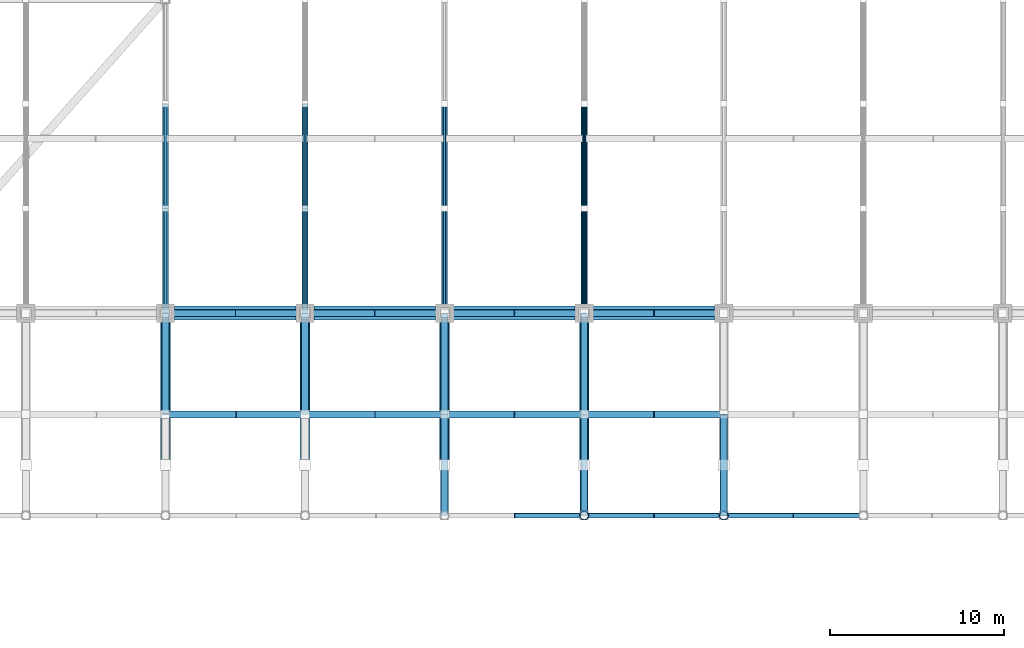
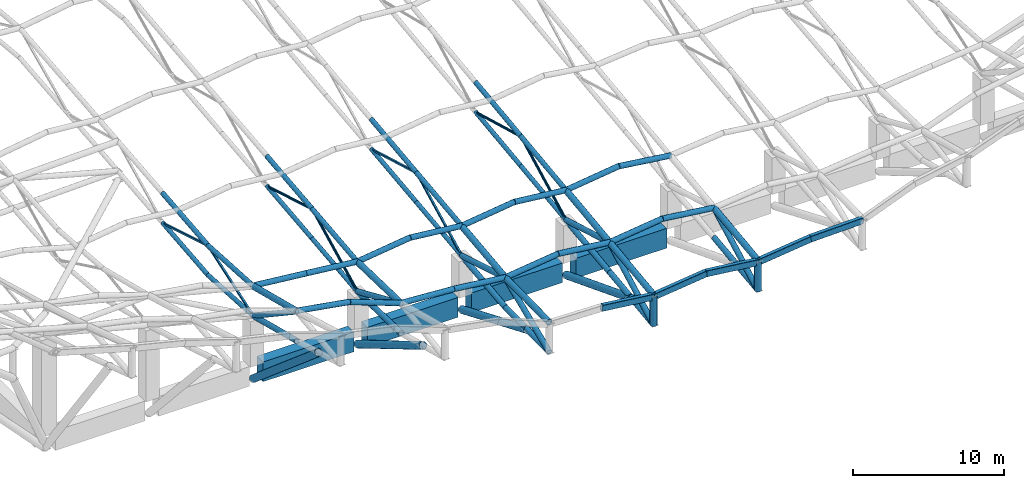
# One storey, part 5 of 75: 67 members, 9 beams.
"""IFC4 building model written with IfcOpenShell, lengths in metres."""

from ifc_helpers import new_model, si_unit, direction, frame, origin, origin_2d, place, context, subcontext, project, spatial, rectangle, hollow_rectangle, hollow_circle, extrude, material, material_profile, profile_set, type_object, element, save


model = new_model("IFC4")

# Units and contexts
model_context = context("Model", 3, precision=1e-05, world=origin(), true_north=direction((0.0, 1.0)))
body_context = subcontext(model_context, "Body", "Model", "MODEL_VIEW")
ifc_project = project(units=[si_unit("LENGTHUNIT", "METRE"), si_unit("AREAUNIT", "SQUARE_METRE"), si_unit("VOLUMEUNIT", "CUBIC_METRE"), si_unit("PLANEANGLEUNIT", "RADIAN"), si_unit("MASSUNIT", "GRAM", prefix="KILO")], contexts=[model_context])

# Site, building, storey
site_placement = place(None, origin())
site = spatial("IfcSite", under=ifc_project, at=site_placement, CompositionType="ELEMENT")
building_placement = place(site_placement, origin())
building = spatial("IfcBuilding", under=site, at=building_placement, Name="Khorjan Park Terminus", CompositionType="ELEMENT")
storey_placement = place(building_placement, frame((0.0, 0.0, 16.2)))
storey = spatial("IfcBuildingStorey", under=building, at=storey_placement, Name="L03", CompositionType="ELEMENT", Elevation=16.2)

# Members
ifc_material_1 = material(Name="Steel S355", Category="steel")
ifc_material_profile_1 = material_profile(ifc_material_1, hollow_circle(Radius=0.0969, WallThickness=0.01, at=origin_2d()), Name="CHS 193.7x10")
ifc_profile_set_1 = profile_set([ifc_material_profile_1], Name="Steel S355")
member_type_1 = type_object("IfcMemberType", Name="MB-BR-194", PredefinedType="BRACE", material=ifc_profile_set_1)
member_1_placement = place(storey_placement, frame((72.0, 26.0, 2.8526), z_axis=(0.0, 0.892185602554, 0.451668961293), x_axis=(-1.0, 0.0, 0.0)))
element("IfcMember", 1, at=member_1_placement, inside=storey, type_object=member_type_1, Name="Upper shell fold space-truss web diagonal (4)", PredefinedType="BRACE", context=body_context, shape_type="SweptSolid", body=[
    extrude(hollow_circle(Radius=0.0969, WallThickness=0.01, at=origin_2d()), origin(), (0.0, 0.0, 1.0), 6.7251),
])
member_2_placement = place(storey_placement, frame((72.0, 32.0, 5.8901), z_axis=(0.0, 0.95946093439, -0.281841649477), x_axis=(-1.0, 0.0, 0.0)))
element("IfcMember", 2, at=member_2_placement, inside=storey, type_object=member_type_1, Name="Upper shell fold space-truss web diagonal (4)", PredefinedType="BRACE", context=body_context, shape_type="SweptSolid", body=[
    extrude(hollow_circle(Radius=0.0969, WallThickness=0.01, at=origin_2d()), origin(), (0.0, 0.0, 1.0), 6.2535),
])
member_3_placement = place(storey_placement, frame((88.0, 26.0, 3.0429), z_axis=(0.0, 0.88625355796, 0.463200422068), x_axis=(-1.0, 0.0, 0.0)))
element("IfcMember", 3, at=member_3_placement, inside=storey, type_object=member_type_1, Name="Upper shell fold space-truss web diagonal (6)", PredefinedType="BRACE", context=body_context, shape_type="SweptSolid", body=[
    extrude(hollow_circle(Radius=0.0969, WallThickness=0.01, at=origin_2d()), origin(), (0.0, 0.0, 1.0), 6.7701),
])
member_4_placement = place(storey_placement, frame((88.0, 32.0, 6.1788), z_axis=(0.0, 0.963628272095, -0.267246240794), x_axis=(-1.0, 0.0, 0.0)))
element("IfcMember", 4, at=member_4_placement, inside=storey, type_object=member_type_1, Name="Upper shell fold space-truss web diagonal (6)", PredefinedType="BRACE", context=body_context, shape_type="SweptSolid", body=[
    extrude(hollow_circle(Radius=0.0969, WallThickness=0.01, at=origin_2d()), origin(), (0.0, 0.0, 1.0), 6.2265),
])
ifc_material_profile_2 = material_profile(ifc_material_1, hollow_rectangle(XDim=0.15, YDim=0.15, WallThickness=0.01, InnerFilletRadius=0.01, OuterFilletRadius=0.02, at=origin_2d()), Name="SHS 150x150x10")
ifc_profile_set_2 = profile_set([ifc_material_profile_2], Name="Steel S355")
member_type_2 = type_object("IfcMemberType", Name="MB-BR-SHS150", PredefinedType="BRACE", material=ifc_profile_set_2)
member_5_placement = place(storey_placement, frame((64.0, 26.0, 3.6958), z_axis=(0.0, 0.946295848033, 0.32330197648), x_axis=(-1.0, 0.0, 0.0)))
element("IfcMember", 5, at=member_5_placement, inside=storey, type_object=member_type_2, Name="Upper shell fold space-truss web diagonal (3)", PredefinedType="BRACE", context=body_context, shape_type="SweptSolid", body=[
    extrude(hollow_rectangle(XDim=0.15, YDim=0.15, WallThickness=0.01, InnerFilletRadius=0.01, OuterFilletRadius=0.02, at=origin_2d()), origin(), (0.0, 0.0, 1.0), 6.3405),
])
member_6_placement = place(storey_placement, frame((64.0, 32.0, 5.7457), z_axis=(0.0, 0.957315382984, -0.289045424636), x_axis=(-1.0, 0.0, 0.0)))
element("IfcMember", 6, at=member_6_placement, inside=storey, type_object=member_type_2, Name="Upper shell fold space-truss web diagonal (3)", PredefinedType="BRACE", context=body_context, shape_type="SweptSolid", body=[
    extrude(hollow_rectangle(XDim=0.15, YDim=0.15, WallThickness=0.01, InnerFilletRadius=0.01, OuterFilletRadius=0.02, at=origin_2d()), origin(), (0.0, 0.0, 1.0), 6.2675),
])
member_7_placement = place(storey_placement, frame((80.0, 26.0, 2.9477), z_axis=(0.0, 0.889228378973, 0.457463539563), x_axis=(-1.0, 0.0, 0.0)))
element("IfcMember", 7, at=member_7_placement, inside=storey, type_object=member_type_2, Name="Upper shell fold space-truss web diagonal (5)", PredefinedType="BRACE", context=body_context, shape_type="SweptSolid", body=[
    extrude(hollow_rectangle(XDim=0.15, YDim=0.15, WallThickness=0.01, InnerFilletRadius=0.01, OuterFilletRadius=0.02, at=origin_2d()), origin(), (0.0, 0.0, 1.0), 6.7474),
])
member_8_placement = place(storey_placement, frame((80.0, 32.0, 6.0344), z_axis=(0.0, 0.961569896016, -0.274560257642), x_axis=(-1.0, 0.0, 0.0)))
element("IfcMember", 8, at=member_8_placement, inside=storey, type_object=member_type_2, Name="Upper shell fold space-truss web diagonal (5)", PredefinedType="BRACE", context=body_context, shape_type="SweptSolid", body=[
    extrude(hollow_rectangle(XDim=0.15, YDim=0.15, WallThickness=0.01, InnerFilletRadius=0.01, OuterFilletRadius=0.02, at=origin_2d()), origin(), (0.0, 0.0, 1.0), 6.2398),
])
ifc_material_profile_3 = material_profile(ifc_material_1, hollow_circle(Radius=0.162, WallThickness=0.0125, at=origin_2d()), Name="CHS 323.9x12.5")
ifc_profile_set_3 = profile_set([ifc_material_profile_3], Name="Steel S355")
member_type_3 = type_object("IfcMemberType", Name="MB-CH-324", PredefinedType="CHORD", material=ifc_profile_set_3)
member_9_placement = place(storey_placement, frame((64.0, 26.0, 3.6958), z_axis=(0.0, 0.998301973504, -0.058250920154), x_axis=(-1.0, 0.0, 0.0)))
element("IfcMember", 9, at=member_9_placement, inside=storey, type_object=member_type_3, Name="Upper shell fold space-truss bottom chord (3)", PredefinedType="CHORD", context=body_context, shape_type="SweptSolid", body=[
    extrude(hollow_circle(Radius=0.162, WallThickness=0.0125, at=origin_2d()), origin(), (0.0, 0.0, 1.0), 6.0102),
])
member_10_placement = place(storey_placement, frame((64.0, 32.0, 3.3457), z_axis=(0.0, 0.995225871827, 0.097598483831), x_axis=(-1.0, 0.0, 0.0)))
element("IfcMember", 10, at=member_10_placement, inside=storey, type_object=member_type_3, Name="Upper shell fold space-truss bottom chord (3)", PredefinedType="CHORD", context=body_context, shape_type="SweptSolid", body=[
    extrude(hollow_circle(Radius=0.162, WallThickness=0.0125, at=origin_2d()), origin(), (0.0, 0.0, 1.0), 6.0288),
])
for number, where, z_axis, x_axis, name in (
    (11, (72.0, 26.0, 2.8526), (0.0, 0.994402814649, 0.105655299056), (-1.0, 0.0, 0.0), "Upper shell fold space-truss bottom chord (4)"),
    (12, (72.0, 32.0, 3.4901), (0.0, 0.994402814649, 0.105655299056), (-1.0, 0.0, 0.0), "Upper shell fold space-truss bottom chord (4)"),
):
    element("IfcMember", number, at=place(storey_placement, frame(where, z_axis=z_axis, x_axis=x_axis)), inside=storey, type_object=member_type_3, Name=name, PredefinedType="CHORD", context=body_context, shape_type="SweptSolid", body=[
        extrude(hollow_circle(Radius=0.162, WallThickness=0.0125, at=origin_2d()), origin(), (0.0, 0.0, 1.0), 6.0338),
    ])
for number, where, z_axis, x_axis, name in (
    (13, (80.0, 26.0, 2.9477), (0.0, 0.993514246355, 0.113707705495), (-1.0, 0.0, 0.0), "Upper shell fold space-truss bottom chord (5)"),
    (14, (80.0, 32.0, 3.6344), (0.0, 0.993512375599, 0.113724049927), (-1.0, 0.0, 0.0), "Upper shell fold space-truss bottom chord (5)"),
):
    element("IfcMember", number, at=place(storey_placement, frame(where, z_axis=z_axis, x_axis=x_axis)), inside=storey, type_object=member_type_3, Name=name, PredefinedType="CHORD", context=body_context, shape_type="SweptSolid", body=[
        extrude(hollow_circle(Radius=0.162, WallThickness=0.0125, at=origin_2d()), origin(), (0.0, 0.0, 1.0), 6.0392),
    ])
for number, where, z_axis, x_axis, name in (
    (15, (88.0, 26.0, 3.0429), (0.0, 0.992562298474, 0.121737765908), (-1.0, 0.0, 0.0), "Upper shell fold space-truss bottom chord (6)"),
    (16, (88.0, 32.0, 3.7788), (0.0, 0.992560299451, 0.121754063399), (-1.0, 0.0, 0.0), "Upper shell fold space-truss bottom chord (6)"),
):
    element("IfcMember", number, at=place(storey_placement, frame(where, z_axis=z_axis, x_axis=x_axis)), inside=storey, type_object=member_type_3, Name=name, PredefinedType="CHORD", context=body_context, shape_type="SweptSolid", body=[
        extrude(hollow_circle(Radius=0.162, WallThickness=0.0125, at=origin_2d()), origin(), (0.0, 0.0, 1.0), 6.045),
    ])
ifc_material_profile_4 = material_profile(ifc_material_1, hollow_circle(Radius=0.1778, WallThickness=0.016, at=origin_2d()), Name="CHS 355.6x16")
ifc_profile_set_4 = profile_set([ifc_material_profile_4], Name="Steel S355")
member_type_4 = type_object("IfcMemberType", Name="MB-CH-356", PredefinedType="CHORD", material=ifc_profile_set_4)
member_11_placement = place(storey_placement, frame((64.0, 26.0, 6.0958), z_axis=(0.0, 0.998301973504, -0.058250920154), x_axis=(-1.0, 0.0, 0.0)))
element("IfcMember", 17, at=member_11_placement, inside=storey, type_object=member_type_4, Name="Upper shell fold space-truss top chord (3)", PredefinedType="CHORD", context=body_context, shape_type="SweptSolid", body=[
    extrude(hollow_circle(Radius=0.1778, WallThickness=0.016, at=origin_2d()), origin(), (0.0, 0.0, 1.0), 6.0102),
])
member_12_placement = place(storey_placement, frame((64.0, 32.0, 5.7457), z_axis=(0.0, 0.995225871827, 0.097598483831), x_axis=(-1.0, 0.0, 0.0)))
element("IfcMember", 18, at=member_12_placement, inside=storey, type_object=member_type_4, Name="Upper shell fold space-truss top chord (3)", PredefinedType="CHORD", context=body_context, shape_type="SweptSolid", body=[
    extrude(hollow_circle(Radius=0.1778, WallThickness=0.016, at=origin_2d()), origin(), (0.0, 0.0, 1.0), 6.0288),
])
for number, where, z_axis, x_axis, name in (
    (19, (72.0, 26.0, 5.2526), (0.0, 0.994402814649, 0.105655299056), (-1.0, 0.0, 0.0), "Upper shell fold space-truss top chord (4)"),
    (20, (72.0, 32.0, 5.8901), (0.0, 0.994402814649, 0.105655299056), (-1.0, 0.0, 0.0), "Upper shell fold space-truss top chord (4)"),
):
    element("IfcMember", number, at=place(storey_placement, frame(where, z_axis=z_axis, x_axis=x_axis)), inside=storey, type_object=member_type_4, Name=name, PredefinedType="CHORD", context=body_context, shape_type="SweptSolid", body=[
        extrude(hollow_circle(Radius=0.1778, WallThickness=0.016, at=origin_2d()), origin(), (0.0, 0.0, 1.0), 6.0338),
    ])
for number, where, z_axis, x_axis, name in (
    (21, (80.0, 26.0, 5.3477), (0.0, 0.993514246355, 0.113707705495), (-1.0, 0.0, 0.0), "Upper shell fold space-truss top chord (5)"),
    (22, (80.0, 32.0, 6.0344), (0.0, 0.993512375599, 0.113724049927), (-1.0, 0.0, 0.0), "Upper shell fold space-truss top chord (5)"),
):
    element("IfcMember", number, at=place(storey_placement, frame(where, z_axis=z_axis, x_axis=x_axis)), inside=storey, type_object=member_type_4, Name=name, PredefinedType="CHORD", context=body_context, shape_type="SweptSolid", body=[
        extrude(hollow_circle(Radius=0.1778, WallThickness=0.016, at=origin_2d()), origin(), (0.0, 0.0, 1.0), 6.0392),
    ])
for number, where, z_axis, x_axis, name in (
    (23, (88.0, 26.0, 5.4429), (0.0, 0.992562298474, 0.121737765908), (-1.0, 0.0, 0.0), "Upper shell fold space-truss top chord (6)"),
    (24, (88.0, 32.0, 6.1788), (0.0, 0.992560299451, 0.121754063399), (-1.0, 0.0, 0.0), "Upper shell fold space-truss top chord (6)"),
):
    element("IfcMember", number, at=place(storey_placement, frame(where, z_axis=z_axis, x_axis=x_axis)), inside=storey, type_object=member_type_4, Name=name, PredefinedType="CHORD", context=body_context, shape_type="SweptSolid", body=[
        extrude(hollow_circle(Radius=0.1778, WallThickness=0.016, at=origin_2d()), origin(), (0.0, 0.0, 1.0), 6.045),
    ])
ifc_material_profile_5 = material_profile(ifc_material_1, hollow_circle(Radius=0.2032, WallThickness=0.016, at=origin_2d()), Name="CHS 406.4x16")
ifc_profile_set_5 = profile_set([ifc_material_profile_5], Name="Steel S355")
member_type_5 = type_object("IfcMemberType", Name="MB-CHE-406", PredefinedType="CHORD", material=ifc_profile_set_5)
member_13_placement = place(storey_placement, frame((64.0, 20.2, 7.6131), z_axis=(0.985790621278, 0.0, -0.167978721866), x_axis=(0.0, 1.0, 0.0)))
element("IfcMember", 25, at=member_13_placement, inside=storey, type_object=member_type_5, Name="Upper shell fold rib chord (47)", PredefinedType="CHORD", context=body_context, shape_type="SweptSolid", body=[
    extrude(hollow_circle(Radius=0.2032, WallThickness=0.016, at=origin_2d()), origin(), (0.0, 0.0, 1.0), 4.0577),
])
member_14_placement = place(storey_placement, frame((68.0, 20.2, 6.9315), z_axis=(0.937112467786, 0.0, -0.349027538627), x_axis=(0.0, 1.0, 0.0)))
element("IfcMember", 26, at=member_14_placement, inside=storey, type_object=member_type_5, Name="Upper shell fold rib chord (48)", PredefinedType="CHORD", context=body_context, shape_type="SweptSolid", body=[
    extrude(hollow_circle(Radius=0.2032, WallThickness=0.016, at=origin_2d()), origin(), (0.0, 0.0, 1.0), 4.2684),
])
member_15_placement = place(storey_placement, frame((72.0, 20.2, 5.4417), z_axis=(0.9978192431, 0.0, -0.066005742931), x_axis=(0.0, 1.0, 0.0)))
element("IfcMember", 27, at=member_15_placement, inside=storey, type_object=member_type_5, Name="Upper shell fold rib chord (49)", PredefinedType="CHORD", context=body_context, shape_type="SweptSolid", body=[
    extrude(hollow_circle(Radius=0.2032, WallThickness=0.016, at=origin_2d()), origin(), (0.0, 0.0, 1.0), 4.0087),
])
member_16_placement = place(storey_placement, frame((76.0, 20.2, 5.1771), z_axis=(0.993642695952, 0.0, -0.112579717451), x_axis=(0.0, 1.0, 0.0)))
element("IfcMember", 28, at=member_16_placement, inside=storey, type_object=member_type_5, Name="Upper shell fold rib chord (50)", PredefinedType="CHORD", context=body_context, shape_type="SweptSolid", body=[
    extrude(hollow_circle(Radius=0.2032, WallThickness=0.016, at=origin_2d()), origin(), (0.0, 0.0, 1.0), 4.0256),
])
member_17_placement = place(storey_placement, frame((80.0, 20.2, 4.7239), z_axis=(0.992256490306, 0.0, 0.124205706174), x_axis=(0.0, 1.0, 0.0)))
element("IfcMember", 29, at=member_17_placement, inside=storey, type_object=member_type_5, Name="Upper shell fold rib chord (51)", PredefinedType="CHORD", context=body_context, shape_type="SweptSolid", body=[
    extrude(hollow_circle(Radius=0.2032, WallThickness=0.016, at=origin_2d()), origin(), (0.0, 0.0, 1.0), 4.0312),
])
member_18_placement = place(storey_placement, frame((84.0, 20.2, 5.2246), z_axis=(0.993642695952, 0.0, -0.112579717451), x_axis=(0.0, 1.0, 0.0)))
element("IfcMember", 30, at=member_18_placement, inside=storey, type_object=member_type_5, Name="Upper shell fold rib chord (52)", PredefinedType="CHORD", context=body_context, shape_type="SweptSolid", body=[
    extrude(hollow_circle(Radius=0.2032, WallThickness=0.016, at=origin_2d()), origin(), (0.0, 0.0, 1.0), 4.0256),
])
for number, where, z_axis, x_axis, name in (
    (31, (88.0, 20.2, 4.7714), (0.992253432775, 0.0, 0.124230129783), (0.0, 1.0, 0.0), "Upper shell fold rib chord (53)"),
    (32, (92.0, 20.2, 5.2722), (0.992253432775, 0.0, -0.124230129783), (0.0, 1.0, 0.0), "Upper shell fold rib chord (54)"),
):
    element("IfcMember", number, at=place(storey_placement, frame(where, z_axis=z_axis, x_axis=x_axis)), inside=storey, type_object=member_type_5, Name=name, PredefinedType="CHORD", context=body_context, shape_type="SweptSolid", body=[
        extrude(hollow_circle(Radius=0.2032, WallThickness=0.016, at=origin_2d()), origin(), (0.0, 0.0, 1.0), 4.0312),
    ])
member_19_placement = place(storey_placement, frame((64.0, 26.0, 6.1358), z_axis=(0.994691618291, 0.0, -0.102900847912), x_axis=(0.0, 1.0, 0.0)))
element("IfcMember", 33, at=member_19_placement, inside=storey, type_object=member_type_5, Name="Upper shell fold rib chord (71)", PredefinedType="CHORD", context=body_context, shape_type="SweptSolid", body=[
    extrude(hollow_circle(Radius=0.2032, WallThickness=0.016, at=origin_2d()), origin(), (0.0, 0.0, 1.0), 4.0213),
])
member_20_placement = place(storey_placement, frame((68.0, 26.0, 5.722), z_axis=(0.994287316425, 0.0, -0.106736743418), x_axis=(0.0, 1.0, 0.0)))
element("IfcMember", 34, at=member_20_placement, inside=storey, type_object=member_type_5, Name="Upper shell fold rib chord (72)", PredefinedType="CHORD", context=body_context, shape_type="SweptSolid", body=[
    extrude(hollow_circle(Radius=0.2032, WallThickness=0.016, at=origin_2d()), origin(), (0.0, 0.0, 1.0), 4.023),
])
member_21_placement = place(storey_placement, frame((72.0, 26.0, 5.2926), z_axis=(0.9915124119, 0.0, 0.13001206501), x_axis=(0.0, 1.0, 0.0)))
element("IfcMember", 35, at=member_21_placement, inside=storey, type_object=member_type_5, Name="Upper shell fold rib chord (73)", PredefinedType="CHORD", context=body_context, shape_type="SweptSolid", body=[
    extrude(hollow_circle(Radius=0.2032, WallThickness=0.016, at=origin_2d()), origin(), (0.0, 0.0, 1.0), 4.0342),
])
member_22_placement = place(storey_placement, frame((76.0, 26.0, 5.8171), z_axis=(0.994287316425, 0.0, -0.106736743418), x_axis=(0.0, 1.0, 0.0)))
element("IfcMember", 36, at=member_22_placement, inside=storey, type_object=member_type_5, Name="Upper shell fold rib chord (74)", PredefinedType="CHORD", context=body_context, shape_type="SweptSolid", body=[
    extrude(hollow_circle(Radius=0.2032, WallThickness=0.016, at=origin_2d()), origin(), (0.0, 0.0, 1.0), 4.023),
])
member_23_placement = place(storey_placement, frame((80.0, 26.0, 5.3877), z_axis=(0.991509216249, 0.0, 0.130036433711), x_axis=(0.0, 1.0, 0.0)))
element("IfcMember", 37, at=member_23_placement, inside=storey, type_object=member_type_5, Name="Upper shell fold rib chord (75)", PredefinedType="CHORD", context=body_context, shape_type="SweptSolid", body=[
    extrude(hollow_circle(Radius=0.2032, WallThickness=0.016, at=origin_2d()), origin(), (0.0, 0.0, 1.0), 4.0343),
])
member_24_placement = place(storey_placement, frame((84.0, 26.0, 5.9123), z_axis=(0.994287316425, 0.0, -0.106736743418), x_axis=(0.0, 1.0, 0.0)))
element("IfcMember", 38, at=member_24_placement, inside=storey, type_object=member_type_5, Name="Upper shell fold rib chord (76)", PredefinedType="CHORD", context=body_context, shape_type="SweptSolid", body=[
    extrude(hollow_circle(Radius=0.2032, WallThickness=0.016, at=origin_2d()), origin(), (0.0, 0.0, 1.0), 4.023),
])
for number, where, z_axis, x_axis, name in (
    (39, (88.0, 26.0, 5.4829), (0.9915124119, 0.0, 0.13001206501), (0.0, 1.0, 0.0), "Upper shell fold rib chord (77)"),
    (40, (92.0, 26.0, 6.0074), (0.9915124119, 0.0, -0.13001206501), (0.0, 1.0, 0.0), "Upper shell fold rib chord (78)"),
):
    element("IfcMember", number, at=place(storey_placement, frame(where, z_axis=z_axis, x_axis=x_axis)), inside=storey, type_object=member_type_5, Name=name, PredefinedType="CHORD", context=body_context, shape_type="SweptSolid", body=[
        extrude(hollow_circle(Radius=0.2032, WallThickness=0.016, at=origin_2d()), origin(), (0.0, 0.0, 1.0), 4.0342),
    ])
member_25_placement = place(storey_placement, frame((64.0, 20.2, 5.1731), z_axis=(0.0, 0.969059763172, -0.246826204851), x_axis=(-1.0, 0.0, 0.0)))
element("IfcMember", 41, at=member_25_placement, inside=storey, type_object=member_type_5, Name="Upper shell fold space-truss bottom chord (3)", PredefinedType="CHORD", context=body_context, shape_type="SweptSolid", body=[
    extrude(hollow_circle(Radius=0.2032, WallThickness=0.016, at=origin_2d()), origin(), (0.0, 0.0, 1.0), 5.9852),
])
member_26_placement = place(storey_placement, frame((72.0, 20.2, 3.0017), z_axis=(0.0, 0.999669741413, -0.025698406628), x_axis=(-1.0, 0.0, 0.0)))
element("IfcMember", 42, at=member_26_placement, inside=storey, type_object=member_type_5, Name="Upper shell fold space-truss bottom chord (4)", PredefinedType="CHORD", context=body_context, shape_type="SweptSolid", body=[
    extrude(hollow_circle(Radius=0.2032, WallThickness=0.016, at=origin_2d()), origin(), (0.0, 0.0, 1.0), 5.8019),
])
member_27_placement = place(storey_placement, frame((80.0, 14.4, 2.1989), z_axis=(0.0, 0.999892630256, 0.014653598892), x_axis=(-1.0, 0.0, 0.0)))
element("IfcMember", 43, at=member_27_placement, inside=storey, type_object=member_type_5, Name="Upper shell fold space-truss bottom chord (5)", PredefinedType="CHORD", context=body_context, shape_type="SweptSolid", body=[
    extrude(hollow_circle(Radius=0.2032, WallThickness=0.016, at=origin_2d()), origin(), (0.0, 0.0, 1.0), 5.8006),
])
member_28_placement = place(storey_placement, frame((80.0, 20.2, 2.2839), z_axis=(0.0, 0.993514439867, 0.113706014687), x_axis=(-1.0, 0.0, 0.0)))
element("IfcMember", 44, at=member_28_placement, inside=storey, type_object=member_type_5, Name="Upper shell fold space-truss bottom chord (5)", PredefinedType="CHORD", context=body_context, shape_type="SweptSolid", body=[
    extrude(hollow_circle(Radius=0.2032, WallThickness=0.016, at=origin_2d()), origin(), (0.0, 0.0, 1.0), 5.8379),
])
for number, where, z_axis, x_axis, name in (
    (45, (88.0, 14.4, 1.62), (0.0, 0.992561678115, 0.121742823761), (-1.0, 0.0, 0.0), "Upper shell fold space-truss bottom chord (6)"),
    (46, (88.0, 20.2, 2.3314), (0.0, 0.992559610072, 0.121759683201), (-1.0, 0.0, 0.0), "Upper shell fold space-truss bottom chord (6)"),
    (47, (96.0, 14.4, 1.62), (0.0, 0.992561678115, 0.121742823761), (-1.0, 0.0, 0.0), "Upper shell fold space-truss bottom chord (7)"),
):
    element("IfcMember", number, at=place(storey_placement, frame(where, z_axis=z_axis, x_axis=x_axis)), inside=storey, type_object=member_type_5, Name=name, PredefinedType="CHORD", context=body_context, shape_type="SweptSolid", body=[
        extrude(hollow_circle(Radius=0.2032, WallThickness=0.016, at=origin_2d()), origin(), (0.0, 0.0, 1.0), 5.8435),
    ])
ifc_material_profile_6 = material_profile(ifc_material_1, hollow_circle(Radius=0.2285, WallThickness=0.016, at=origin_2d()), Name="CHS 457x16")
ifc_profile_set_6 = profile_set([ifc_material_profile_6], Name="Steel S355")
member_type_6 = type_object("IfcMemberType", Name="MB-CHE-457", PredefinedType="CHORD", material=ifc_profile_set_6)
member_29_placement = place(storey_placement, frame((64.0, 20.2, 7.5731), z_axis=(0.0, 0.969059763172, -0.246826204851), x_axis=(-1.0, 0.0, 0.0)))
element("IfcMember", 48, at=member_29_placement, inside=storey, type_object=member_type_6, Name="Upper shell fold space-truss top chord (3)", PredefinedType="CHORD", context=body_context, shape_type="SweptSolid", body=[
    extrude(hollow_circle(Radius=0.2285, WallThickness=0.016, at=origin_2d()), origin(), (0.0, 0.0, 1.0), 5.9852),
])
member_30_placement = place(storey_placement, frame((72.0, 20.2, 5.4017), z_axis=(0.0, 0.999669741413, -0.025698406628), x_axis=(-1.0, 0.0, 0.0)))
element("IfcMember", 49, at=member_30_placement, inside=storey, type_object=member_type_6, Name="Upper shell fold space-truss top chord (4)", PredefinedType="CHORD", context=body_context, shape_type="SweptSolid", body=[
    extrude(hollow_circle(Radius=0.2285, WallThickness=0.016, at=origin_2d()), origin(), (0.0, 0.0, 1.0), 5.8019),
])
member_31_placement = place(storey_placement, frame((80.0, 14.4, 4.5989), z_axis=(0.0, 0.999892630256, 0.014653598892), x_axis=(-1.0, 0.0, 0.0)))
element("IfcMember", 50, at=member_31_placement, inside=storey, type_object=member_type_6, Name="Upper shell fold space-truss top chord (5)", PredefinedType="CHORD", context=body_context, shape_type="SweptSolid", body=[
    extrude(hollow_circle(Radius=0.2285, WallThickness=0.016, at=origin_2d()), origin(), (0.0, 0.0, 1.0), 5.8006),
])
member_32_placement = place(storey_placement, frame((80.0, 20.2, 4.6839), z_axis=(0.0, 0.993514439867, 0.113706014687), x_axis=(-1.0, 0.0, 0.0)))
element("IfcMember", 51, at=member_32_placement, inside=storey, type_object=member_type_6, Name="Upper shell fold space-truss top chord (5)", PredefinedType="CHORD", context=body_context, shape_type="SweptSolid", body=[
    extrude(hollow_circle(Radius=0.2285, WallThickness=0.016, at=origin_2d()), origin(), (0.0, 0.0, 1.0), 5.8379),
])
for number, where, z_axis, x_axis, name in (
    (52, (88.0, 14.4, 4.02), (0.0, 0.992561678115, 0.121742823761), (-1.0, 0.0, 0.0), "Upper shell fold space-truss top chord (6)"),
    (53, (88.0, 20.2, 4.7314), (0.0, 0.992559610072, 0.121759683201), (-1.0, 0.0, 0.0), "Upper shell fold space-truss top chord (6)"),
    (54, (96.0, 14.4, 4.02), (0.0, 0.992561678115, 0.121742823761), (-1.0, 0.0, 0.0), "Upper shell fold space-truss top chord (7)"),
):
    element("IfcMember", number, at=place(storey_placement, frame(where, z_axis=z_axis, x_axis=x_axis)), inside=storey, type_object=member_type_6, Name=name, PredefinedType="CHORD", context=body_context, shape_type="SweptSolid", body=[
        extrude(hollow_circle(Radius=0.2285, WallThickness=0.016, at=origin_2d()), origin(), (0.0, 0.0, 1.0), 5.8435),
    ])
ifc_material_profile_7 = material_profile(ifc_material_1, hollow_circle(Radius=0.2795, WallThickness=0.02, at=origin_2d()), Name="CHS 559x20")
ifc_profile_set_7 = profile_set([ifc_material_profile_7], Name="Steel S355")
member_type_7 = type_object("IfcMemberType", Name="MB-ST-CHS559", PredefinedType="STRUT", material=ifc_profile_set_7)
member_33_placement = place(storey_placement, frame((64.0, 26.0, -1.4), z_axis=(0.0, -0.76164547291, 0.647993961079), x_axis=(1.0, 0.0, 0.0)))
element("IfcMember", 55, at=member_33_placement, inside=storey, type_object=member_type_7, Name="Upper shell raked overhang V-strut STE-56 (3S)", PredefinedType="STRUT", context=body_context, shape_type="SweptSolid", body=[
    extrude(hollow_circle(Radius=0.2795, WallThickness=0.02, at=origin_2d()), origin(), (0.0, 0.0, 1.0), 11.4226),
])
member_34_placement = place(storey_placement, frame((72.0, 26.0, -1.4), z_axis=(0.0, -0.860176841701, 0.509995883318), x_axis=(1.0, 0.0, 0.0)))
element("IfcMember", 56, at=member_34_placement, inside=storey, type_object=member_type_7, Name="Upper shell raked overhang V-strut STE-56 (4S)", PredefinedType="STRUT", context=body_context, shape_type="SweptSolid", body=[
    extrude(hollow_circle(Radius=0.2795, WallThickness=0.02, at=origin_2d()), origin(), (0.0, 0.0, 1.0), 10.1142),
])
member_35_placement = place(storey_placement, frame((80.0, 26.0, -1.4), z_axis=(0.0, -0.922458377603, 0.386096544391), x_axis=(1.0, 0.0, 0.0)))
element("IfcMember", 57, at=member_35_placement, inside=storey, type_object=member_type_7, Name="Upper shell raked overhang V-strut STE-56 (5S)", PredefinedType="STRUT", context=body_context, shape_type="SweptSolid", body=[
    extrude(hollow_circle(Radius=0.2795, WallThickness=0.02, at=origin_2d()), origin(), (0.0, 0.0, 1.0), 9.4313),
])
member_36_placement = place(storey_placement, frame((88.0, 26.0, -1.4), z_axis=(0.0, -0.932280715022, 0.361735633299), x_axis=(1.0, 0.0, 0.0)))
element("IfcMember", 58, at=member_36_placement, inside=storey, type_object=member_type_7, Name="Upper shell raked overhang V-strut STE-56 (6S)", PredefinedType="STRUT", context=body_context, shape_type="SweptSolid", body=[
    extrude(hollow_circle(Radius=0.2795, WallThickness=0.02, at=origin_2d()), origin(), (0.0, 0.0, 1.0), 9.332),
])
ifc_material_profile_8 = material_profile(ifc_material_1, hollow_circle(Radius=0.2032, WallThickness=0.016, at=origin_2d()), Name="CHS 406.4x16")
ifc_profile_set_8 = profile_set([ifc_material_profile_8], Name="Steel S355")
member_type_8 = type_object("IfcMemberType", Name="MB-STE-406", PredefinedType="STRUT", material=ifc_profile_set_8)
member_37_placement = place(storey_placement, frame((64.0, 20.2, 7.5731), z_axis=(0.0, 0.831346178511, -0.555754920334), x_axis=(-1.0, 0.0, 0.0)))
element("IfcMember", 59, at=member_37_placement, inside=storey, type_object=member_type_8, Name="Upper shell fold space-truss web diagonal (3)", PredefinedType="STRUT", context=body_context, shape_type="SweptSolid", body=[
    extrude(hollow_circle(Radius=0.2032, WallThickness=0.016, at=origin_2d()), origin(), (0.0, 0.0, 1.0), 6.9766),
])
member_38_placement = place(storey_placement, frame((72.0, 20.2, 5.4017), z_axis=(0.0, 0.9154836907, -0.402355082063), x_axis=(-1.0, 0.0, 0.0)))
element("IfcMember", 60, at=member_38_placement, inside=storey, type_object=member_type_8, Name="Upper shell fold space-truss web diagonal (4)", PredefinedType="STRUT", context=body_context, shape_type="SweptSolid", body=[
    extrude(hollow_circle(Radius=0.2032, WallThickness=0.016, at=origin_2d()), origin(), (0.0, 0.0, 1.0), 6.3354),
])
member_39_placement = place(storey_placement, frame((80.0, 14.4, 2.1989), z_axis=(0.0, 0.919186011339, 0.393823661755), x_axis=(-1.0, 0.0, 0.0)))
element("IfcMember", 61, at=member_39_placement, inside=storey, type_object=member_type_8, Name="Upper shell fold space-truss web diagonal (5)", PredefinedType="STRUT", context=body_context, shape_type="SweptSolid", body=[
    extrude(hollow_circle(Radius=0.2032, WallThickness=0.016, at=origin_2d()), origin(), (0.0, 0.0, 1.0), 6.3099),
])
member_40_placement = place(storey_placement, frame((80.0, 20.2, 4.6839), z_axis=(0.0, 0.957998861056, -0.286772003891), x_axis=(-1.0, 0.0, 0.0)))
element("IfcMember", 62, at=member_40_placement, inside=storey, type_object=member_type_8, Name="Upper shell fold space-truss web diagonal (5)", PredefinedType="STRUT", context=body_context, shape_type="SweptSolid", body=[
    extrude(hollow_circle(Radius=0.2032, WallThickness=0.016, at=origin_2d()), origin(), (0.0, 0.0, 1.0), 6.0543),
])
member_41_placement = place(storey_placement, frame((88.0, 14.4, 1.62), z_axis=(0.0, 0.881210593902, 0.47272390377), x_axis=(-1.0, 0.0, 0.0)))
element("IfcMember", 63, at=member_41_placement, inside=storey, type_object=member_type_8, Name="Upper shell fold space-truss web diagonal (6)", PredefinedType="STRUT", context=body_context, shape_type="SweptSolid", body=[
    extrude(hollow_circle(Radius=0.2032, WallThickness=0.016, at=origin_2d()), origin(), (0.0, 0.0, 1.0), 6.5819),
])
member_42_placement = place(storey_placement, frame((88.0, 20.2, 4.7314), z_axis=(0.0, 0.960140787374, -0.279516848186), x_axis=(-1.0, 0.0, 0.0)))
element("IfcMember", 64, at=member_42_placement, inside=storey, type_object=member_type_8, Name="Upper shell fold space-truss web diagonal (6)", PredefinedType="STRUT", context=body_context, shape_type="SweptSolid", body=[
    extrude(hollow_circle(Radius=0.2032, WallThickness=0.016, at=origin_2d()), origin(), (0.0, 0.0, 1.0), 6.0408),
])
member_43_placement = place(storey_placement, frame((96.0, 14.4, 1.62), z_axis=(0.0, 0.881210593902, 0.47272390377), x_axis=(-1.0, 0.0, 0.0)))
element("IfcMember", 65, at=member_43_placement, inside=storey, type_object=member_type_8, Name="Upper shell fold space-truss web diagonal (7)", PredefinedType="STRUT", context=body_context, shape_type="SweptSolid", body=[
    extrude(hollow_circle(Radius=0.2032, WallThickness=0.016, at=origin_2d()), origin(), (0.0, 0.0, 1.0), 6.5819),
])
ifc_material_profile_9 = material_profile(ifc_material_1, hollow_circle(Radius=0.254, WallThickness=0.02, at=origin_2d()), Name="CHS 508x20")
ifc_profile_set_9 = profile_set([ifc_material_profile_9], Name="Steel S355")
member_type_9 = type_object("IfcMemberType", Name="MB-STE-508", PredefinedType="STRUT", material=ifc_profile_set_9)
for number, where, z_axis, x_axis, name in (
    (66, (88.0, 14.4, 1.62), (0.0, 0.0, 1.0), (1.0, 0.0, 0.0), "Upper shell overhang tip post STE-51 (6S)"),
    (67, (96.0, 14.4, 1.62), (0.0, 0.0, 1.0), (1.0, 0.0, 0.0), "Upper shell overhang tip post STE-51 (7S)"),
):
    element("IfcMember", number, at=place(storey_placement, frame(where, z_axis=z_axis, x_axis=x_axis)), inside=storey, type_object=member_type_9, Name=name, PredefinedType="STRUT", context=body_context, shape_type="SweptSolid", body=[
        extrude(hollow_circle(Radius=0.254, WallThickness=0.02, at=origin_2d()), origin(), (0.0, 0.0, 1.0), 2.4),
    ])

# Beams
ifc_material_2 = material(Name="Concrete C50/60", Category="concrete")
ifc_material_profile_10 = material_profile(ifc_material_2, rectangle(XDim=0.8, YDim=1.6, at=origin_2d()), Name="RC 800x1600")
ifc_profile_set_10 = profile_set([ifc_material_profile_10], Name="Concrete C50/60")
beam_type_1 = type_object("IfcBeamType", Name="SP-RC800x1600", PredefinedType="SPANDREL", material=ifc_profile_set_10)
for number, where, z_axis, x_axis, name in (
    (68, (64.519, 26.0, -0.8), (1.0, 0.0, 0.0), (0.0, 1.0, 0.0), "Concourse colonnade ring beam SP-16 (5)"),
    (69, (72.519, 26.0, -0.8), (1.0, 0.0, 0.0), (0.0, 1.0, 0.0), "Concourse colonnade ring beam SP-16 (7)"),
    (70, (80.519, 26.0, -0.8), (1.0, 0.0, 0.0), (0.0, 1.0, 0.0), "Concourse colonnade ring beam SP-16 (9)"),
    (71, (88.519, 26.0, -0.8), (1.0, 0.0, 0.0), (0.0, 1.0, 0.0), "Concourse colonnade ring beam SP-16 (11)"),
):
    element("IfcBeam", number, at=place(storey_placement, frame(where, z_axis=z_axis, x_axis=x_axis)), inside=storey, type_object=beam_type_1, Name=name, PredefinedType="SPANDREL", context=body_context, shape_type="SweptSolid", body=[
        extrude(rectangle(XDim=0.8, YDim=1.6, at=origin_2d()), origin(), (0.0, 0.0, 1.0), 6.962),
    ])
ifc_material_profile_11 = material_profile(ifc_material_1, hollow_rectangle(XDim=0.3, YDim=0.5, WallThickness=0.016, InnerFilletRadius=0.016, OuterFilletRadius=0.032, at=origin_2d()), Name="RHS 500x300x16")
ifc_profile_set_11 = profile_set([ifc_material_profile_11], Name="Steel S355")
beam_type_2 = type_object("IfcBeamType", Name="SP-RHS500", PredefinedType="SPANDREL", material=ifc_profile_set_11)
for number, where, z_axis, x_axis, name in (
    (72, (84.0, 14.4, 4.397), (0.99296466527, 0.0, -0.118411036333), (0.0, 1.0, 0.0), "Upper folded shell upturned perimeter edge beam SP-R50 (12)"),
    (73, (88.0, 14.4, 3.92), (0.99296466527, 0.0, 0.118411036333), (0.0, 1.0, 0.0), "Upper folded shell upturned perimeter edge beam SP-R50 (13)"),
    (74, (92.0, 14.4, 4.397), (0.99296466527, 0.0, -0.118411036333), (0.0, 1.0, 0.0), "Upper folded shell upturned perimeter edge beam SP-R50 (14)"),
    (75, (96.0, 14.4, 3.92), (0.99296466527, 0.0, 0.118411036333), (0.0, 1.0, 0.0), "Upper folded shell upturned perimeter edge beam SP-R50 (15)"),
):
    element("IfcBeam", number, at=place(storey_placement, frame(where, z_axis=z_axis, x_axis=x_axis)), inside=storey, type_object=beam_type_2, Name=name, PredefinedType="SPANDREL", context=body_context, shape_type="SweptSolid", body=[
        extrude(hollow_rectangle(XDim=0.3, YDim=0.5, WallThickness=0.016, InnerFilletRadius=0.016, OuterFilletRadius=0.032, at=origin_2d()), origin(), (0.0, 0.0, 1.0), 4.0283),
    ])
beam_placement = place(storey_placement, frame((100.0, 14.4, 4.397), z_axis=(0.999675670041, 0.0, 0.025466737694), x_axis=(0.0, 1.0, 0.0)))
element("IfcBeam", 76, at=beam_placement, inside=storey, type_object=beam_type_2, Name="Upper folded shell upturned perimeter edge beam SP-R50 (16)", PredefinedType="SPANDREL", context=body_context, shape_type="SweptSolid", body=[
    extrude(hollow_rectangle(XDim=0.3, YDim=0.5, WallThickness=0.016, InnerFilletRadius=0.016, OuterFilletRadius=0.032, at=origin_2d()), origin(), (0.0, 0.0, 1.0), 4.0013),
])

save(model, "model.ifc")
